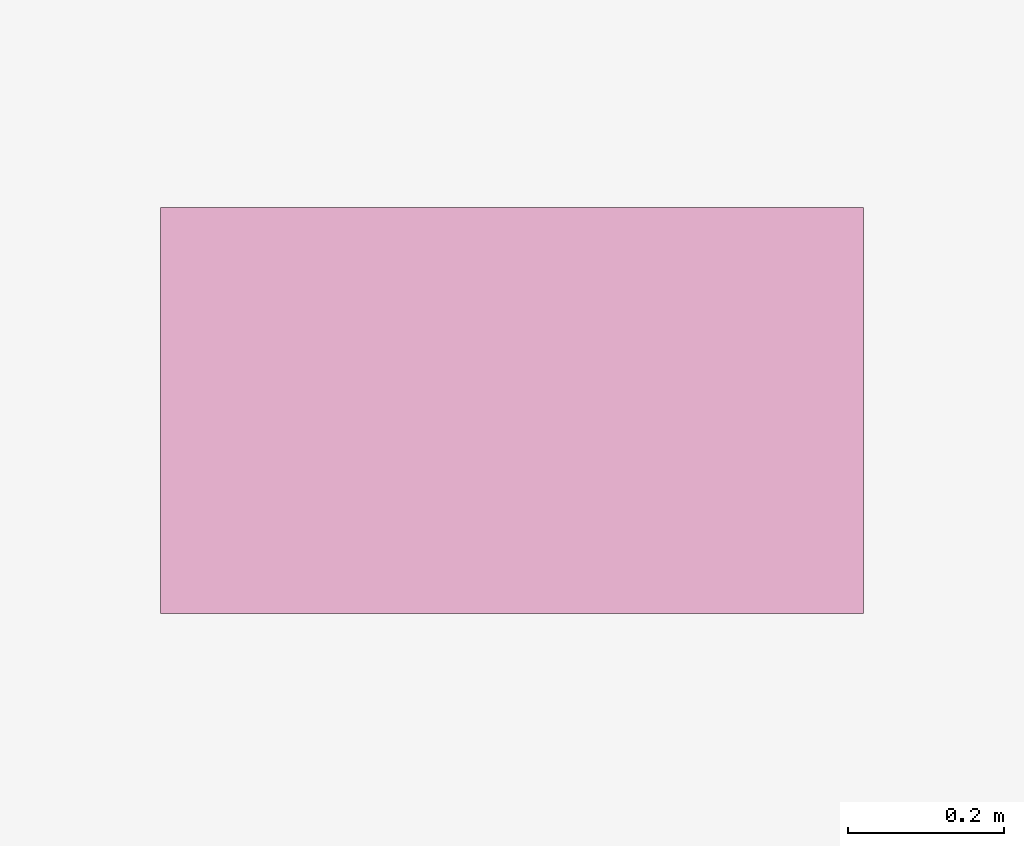
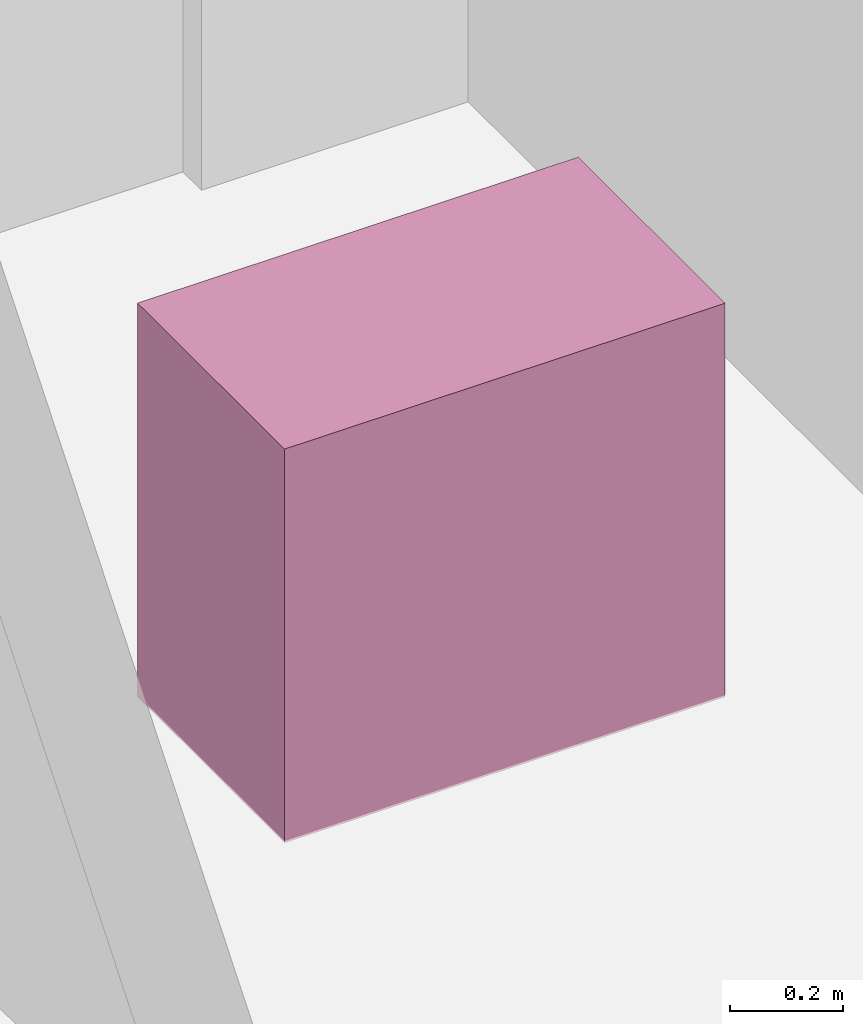
# One storey, part 25 of 25: 1 furnishing.
"""IFC4 building model written with IfcOpenShell, lengths in metres."""

from ifc_helpers import new_model, si_unit, direction, frame, origin, origin_2d, place, context, subcontext, project, spatial, rectangle, extrude, material, type_object, element, save


model = new_model("IFC4")

# Units and contexts
model_context = context("Model", 3, precision=1e-05, world=origin(), true_north=direction((0.0, 1.0)))
body_context = subcontext(model_context, "Body", "Model", "MODEL_VIEW")
ifc_project = project(units=[si_unit("LENGTHUNIT", "METRE"), si_unit("AREAUNIT", "SQUARE_METRE"), si_unit("VOLUMEUNIT", "CUBIC_METRE"), si_unit("PLANEANGLEUNIT", "RADIAN"), si_unit("MASSUNIT", "GRAM", prefix="KILO")], contexts=[model_context])

# Site, building, storey
site_placement = place(None, origin())
site = spatial("IfcSite", under=ifc_project, at=site_placement, CompositionType="ELEMENT")
building_placement = place(site_placement, origin())
building = spatial("IfcBuilding", under=site, at=building_placement, Name="Vorneva Point Tower", CompositionType="ELEMENT")
storey_placement = place(building_placement, frame((0.0, 0.0, 276.85009765625)))
storey = spatial("IfcBuildingStorey", under=building, at=storey_placement, Name="L75", CompositionType="ELEMENT", Elevation=276.85009765625)

# Furnishing
ifc_material = material(Name="Vitreous china and granite top", Category="masonry")
furniture_type = type_object("IfcFurnitureType", Name="FUR-VAN-900", AssemblyPlace="NOTDEFINED", PredefinedType="NOTDEFINED", material=ifc_material)
furnishing_placement = place(storey_placement, frame((34.52490234375, 32.1201171875, -0.005126953125), z_axis=(0.0, 0.0, 1.0), x_axis=(1.0, 0.0, 0.0)))
element("IfcFurnishingElement", 1, at=furnishing_placement, inside=storey, type_object=furniture_type, Name="L75 Accessible WC Vanity Unit", ObjectType="L75 Accessible WC Vanity Unit", context=body_context, shape_type="SweptSolid", body=[
    extrude(rectangle(XDim=0.89990234375, YDim=0.52001953125, at=origin_2d()), origin(), (0.0, 0.0, 1.0), 0.85009765625),
])

save(model, "model.ifc")
